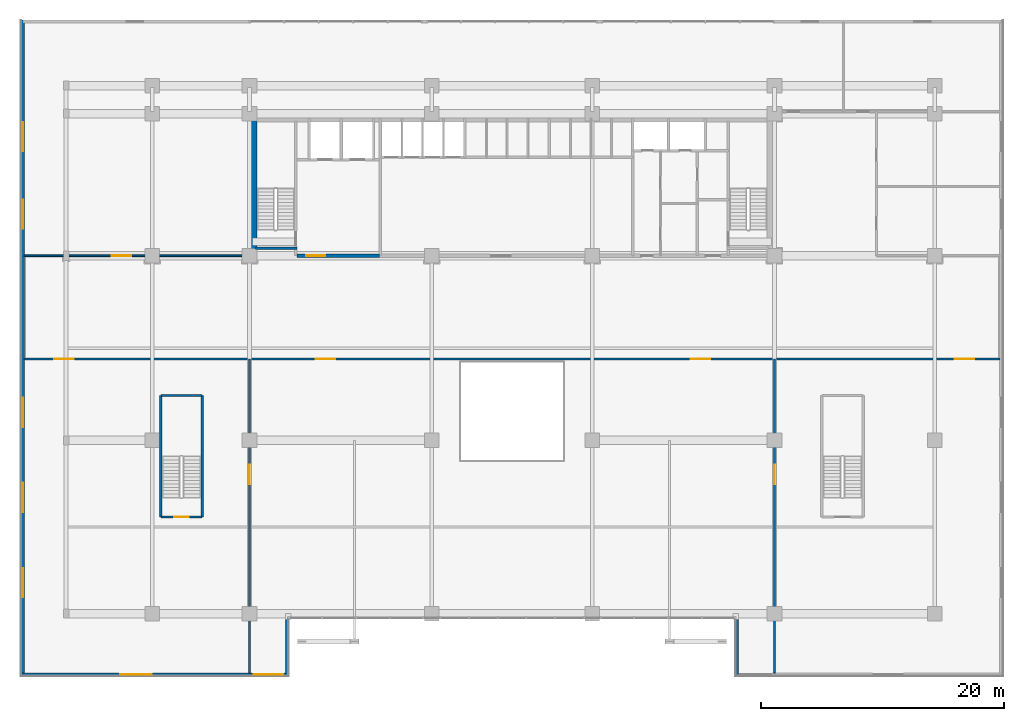
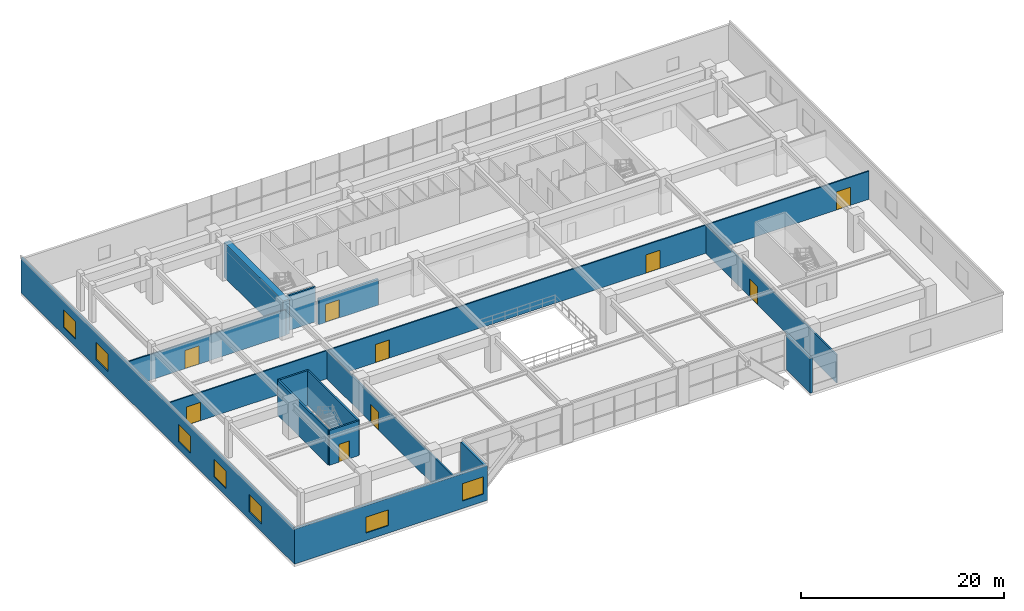
# One storey, part 15 of 24: 15 walls, 9 doors, 7 windows, 16 openings.
"""IFC4 building model written with IfcOpenShell, lengths in metres."""

from ifc_helpers import new_model, si_unit, direction, frame, frame_2d, origin, place, context, subcontext, project, spatial, rectangle, extrude, source, transform, mapped, material, layer, layer_set, type_object, element, fill, save


model = new_model("IFC4")

# Units and contexts
model_context = context("Model", 3, precision=1e-05, world=origin(), true_north=direction((0.0, 1.0)))
body_context = subcontext(model_context, "Body", "Model", "MODEL_VIEW")
ifc_project = project(units=[si_unit("LENGTHUNIT", "METRE"), si_unit("AREAUNIT", "SQUARE_METRE"), si_unit("VOLUMEUNIT", "CUBIC_METRE"), si_unit("PLANEANGLEUNIT", "RADIAN"), si_unit("MASSUNIT", "GRAM", prefix="KILO")], contexts=[model_context])

# Site, building, storey
site_placement = place(None, origin())
site = spatial("IfcSite", under=ifc_project, at=site_placement, CompositionType="ELEMENT")
building_placement = place(site_placement, origin())
building = spatial("IfcBuilding", under=site, at=building_placement, Name="Trelvane Seafront Commons", CompositionType="ELEMENT")
storey_placement = place(building_placement, frame((0.0, 0.0, 5.199951171875)))
storey = spatial("IfcBuildingStorey", under=building, at=storey_placement, Name="L01", CompositionType="ELEMENT", Elevation=5.199951171875)

# Walls
ifc_material_1 = material(Name="Precast concrete C40/50", Category="concrete")
ifc_layer_1 = layer(ifc_material_1, 0.260009765625, Name="ARCH-WALL-EXT260")
ifc_layer_set_1 = layer_set([ifc_layer_1], Name="Precast concrete C40/50")
wall_type_1 = type_object("IfcWallType", Name="ARCH-WALL-EXT260", PredefinedType="SOLIDWALL", material=ifc_layer_set_1)
for number, where, z_axis, x_axis, name in (
    (1, (55.72998046875, -1.199951171875, 0.0), (0.0, 0.0, 1.0), (0.0, 1.0, 0.0), "EW-L01-00011"),
    (2, (18.669921875, 3.60009765625, 0.0), (0.0, 0.0, 1.0), (0.0, -1.0, 0.0), "EW-L01-00012"),
):
    element("IfcWall", number, at=place(storey_placement, frame(where, z_axis=z_axis, x_axis=x_axis)), inside=storey, type_object=wall_type_1, Name=name, PredefinedType="SOLIDWALL", context=body_context, shape_type="SweptSolid", body=[
        extrude(rectangle(XDim=4.800048828125, YDim=0.260009765625, at=frame_2d((2.39990234375, 0.0))), origin(), (0.0, 0.0, 1.0), 4.199951171875),
    ])

# Wall, openings, windows
wall_1_placement = place(storey_placement, frame((18.800048828125, -1.070068359375, 0.0), z_axis=(0.0, 0.0, 1.0), x_axis=(-1.0, 0.0, 0.0)))
wall_1 = element("IfcWall", 3, at=wall_1_placement, inside=storey, type_object=wall_type_1, Name="EW-L01-00013", PredefinedType="SOLIDWALL", context=body_context, shape_type="SweptSolid", body=[
    extrude(rectangle(XDim=22.0, YDim=0.260009765625, at=frame_2d((11.0, 0.0))), origin(), (0.0, 0.0, 1.0), 4.199951171875),
])
opening_1_placement = place(wall_1_placement, frame((0.445068359375, 0.0, 0.89990234375)))
opening_1 = element("IfcOpeningElement", 4, at=opening_1_placement, cuts=wall_1, Name="Opening W08", PredefinedType="OPENING", context=body_context, shape_type="SweptSolid", body=[
    extrude(rectangle(XDim=2.39990234375, YDim=2.10009765625, at=frame_2d((1.199951171875, 1.050048828125))), frame((0.0, 0.139892578125, 0.0), z_axis=(0.0, -1.0, 0.0), x_axis=(1.0, 0.0, 0.0)), (0.0, 0.0, 1.0), 0.280029296875),
])
opening_2_placement = place(wall_1_placement, frame((11.2548828125, 0.0, 0.89990234375)))
opening_2 = element("IfcOpeningElement", 5, at=opening_2_placement, cuts=wall_1, Name="Opening W04", PredefinedType="OPENING", context=body_context, shape_type="SweptSolid", body=[
    extrude(rectangle(XDim=2.60009765625, YDim=1.89990234375, at=frame_2d((1.300048828125, 0.949951171875))), frame((0.0, 0.139892578125, 0.0), z_axis=(0.0, -1.0, 0.0), x_axis=(1.0, 0.0, 0.0)), (0.0, 0.0, 1.0), 0.280029296875),
])
ifc_material_2 = material(Name="Low-E coastal double glazing", Category="glass")
window_type_1 = type_object("IfcWindowType", Name="ARCH-WIN-W08", PartitioningType="SINGLE_PANEL", PredefinedType="WINDOW", material=ifc_material_2)
shared_shape_1 = source(origin(), body_context, "Body", "SweptSolid", [
    extrude(rectangle(XDim=2.39990234375, YDim=2.10009765625, at=frame_2d((1.199951171875, 1.050048828125))), frame((0.0, 0.030029296875, 0.0), z_axis=(0.0, -1.0, 0.0), x_axis=(1.0, 0.0, 0.0)), (0.0, 0.0, 1.0), 0.06005859375),
])
window_1_placement = place(opening_1_placement, origin())
window_1 = element("IfcWindow", 6, at=window_1_placement, inside=storey, type_object=window_type_1, Name="WIN-L01-00015", OverallHeight=2.10009765625, OverallWidth=2.39990234375, PartitioningType="SINGLE_PANEL", PredefinedType="WINDOW", context=body_context, shape_type="MappedRepresentation", body=[
    mapped(shared_shape_1, transform((0.0, 0.0, 0.0), x_axis=(1.0, 0.0, 0.0), y_axis=(0.0, 1.0, 0.0), z_axis=(0.0, 0.0, 1.0), scale=1.0)),
])
fill(opening_1, window_1)
window_type_2 = type_object("IfcWindowType", Name="ARCH-WIN-W04", PartitioningType="SINGLE_PANEL", PredefinedType="WINDOW", material=ifc_material_2)
shared_shape_2 = source(origin(), body_context, "Body", "SweptSolid", [
    extrude(rectangle(XDim=2.60009765625, YDim=1.89990234375, at=frame_2d((1.300048828125, 0.949951171875))), frame((0.0, 0.030029296875, 0.0), z_axis=(0.0, -1.0, 0.0), x_axis=(1.0, 0.0, 0.0)), (0.0, 0.0, 1.0), 0.06005859375),
])
window_2_placement = place(opening_2_placement, origin())
window_2 = element("IfcWindow", 7, at=window_2_placement, inside=storey, type_object=window_type_2, Name="WIN-L01-00016", OverallHeight=1.89990234375, OverallWidth=2.60009765625, PartitioningType="SINGLE_PANEL", PredefinedType="WINDOW", context=body_context, shape_type="MappedRepresentation", body=[
    mapped(shared_shape_2, transform((0.0, 0.0, 0.0), x_axis=(1.0, 0.0, 0.0), y_axis=(0.0, 1.0, 0.0), z_axis=(0.0, 0.0, 1.0), scale=1.0)),
])
fill(opening_2, window_2)

wall_2_placement = place(storey_placement, frame((-3.070068359375, -1.199951171875, 0.0), z_axis=(0.0, 0.0, 1.0), x_axis=(0.0, 1.0, 0.0)))
wall_2 = element("IfcWall", 8, at=wall_2_placement, inside=storey, type_object=wall_type_1, Name="EW-L01-00014", PredefinedType="SOLIDWALL", context=body_context, shape_type="SweptSolid", body=[
    extrude(rectangle(XDim=54.0, YDim=0.260009765625, at=frame_2d((27.0, 0.0))), origin(), (0.0, 0.0, 1.0), 4.199951171875),
])
opening_3_placement = place(wall_2_placement, frame((6.5, 0.0, 0.919921875)))
opening_3 = element("IfcOpeningElement", 9, at=opening_3_placement, cuts=wall_2, Name="Opening W08", PredefinedType="OPENING", context=body_context, shape_type="SweptSolid", body=[
    extrude(rectangle(XDim=2.39990234375, YDim=2.10009765625, at=frame_2d((1.199951171875, 1.050048828125))), frame((0.0, 0.139892578125, 0.0), z_axis=(0.0, -1.0, 0.0), x_axis=(1.0, 0.0, 0.0)), (0.0, 0.0, 1.0), 0.280029296875),
])
opening_4_placement = place(wall_2_placement, frame((13.5, 0.0, 0.919921875)))
opening_4 = element("IfcOpeningElement", 10, at=opening_4_placement, cuts=wall_2, Name="Opening W08", PredefinedType="OPENING", context=body_context, shape_type="SweptSolid", body=[
    extrude(rectangle(XDim=2.39990234375, YDim=2.10009765625, at=frame_2d((1.199951171875, 1.050048828125))), frame((0.0, 0.139892578125, 0.0), z_axis=(0.0, -1.0, 0.0), x_axis=(1.0, 0.0, 0.0)), (0.0, 0.0, 1.0), 0.280029296875),
])
opening_5_placement = place(wall_2_placement, frame((20.5, 0.0, 0.919921875)))
opening_5 = element("IfcOpeningElement", 11, at=opening_5_placement, cuts=wall_2, Name="Opening W08", PredefinedType="OPENING", context=body_context, shape_type="SweptSolid", body=[
    extrude(rectangle(XDim=2.39990234375, YDim=2.10009765625, at=frame_2d((1.199951171875, 1.050048828125))), frame((0.0, 0.139892578125, 0.0), z_axis=(0.0, -1.0, 0.0), x_axis=(1.0, 0.0, 0.0)), (0.0, 0.0, 1.0), 0.280029296875),
])
opening_6_placement = place(wall_2_placement, frame((36.800048828125, 0.0, 0.919921875)))
opening_6 = element("IfcOpeningElement", 12, at=opening_6_placement, cuts=wall_2, Name="Opening W08", PredefinedType="OPENING", context=body_context, shape_type="SweptSolid", body=[
    extrude(rectangle(XDim=2.39990234375, YDim=2.10009765625, at=frame_2d((1.199951171875, 1.050048828125))), frame((0.0, 0.139892578125, 0.0), z_axis=(0.0, -1.0, 0.0), x_axis=(1.0, 0.0, 0.0)), (0.0, 0.0, 1.0), 0.280029296875),
])
opening_7_placement = place(wall_2_placement, frame((43.199951171875, 0.0, 0.919921875)))
opening_7 = element("IfcOpeningElement", 13, at=opening_7_placement, cuts=wall_2, Name="Opening W08", PredefinedType="OPENING", context=body_context, shape_type="SweptSolid", body=[
    extrude(rectangle(XDim=2.39990234375, YDim=2.10009765625, at=frame_2d((1.199951171875, 1.050048828125))), frame((0.0, 0.139892578125, 0.0), z_axis=(0.0, -1.0, 0.0), x_axis=(1.0, 0.0, 0.0)), (0.0, 0.0, 1.0), 0.280029296875),
])
window_3_placement = place(opening_3_placement, origin())
window_3 = element("IfcWindow", 14, at=window_3_placement, inside=storey, type_object=window_type_1, Name="WIN-L01-EW-00017", OverallHeight=2.10009765625, OverallWidth=2.39990234375, PartitioningType="SINGLE_PANEL", PredefinedType="WINDOW", context=body_context, shape_type="MappedRepresentation", body=[
    mapped(shared_shape_1, transform((0.0, 0.0, 0.0), x_axis=(1.0, 0.0, 0.0), y_axis=(0.0, 1.0, 0.0), z_axis=(0.0, 0.0, 1.0), scale=1.0)),
])
fill(opening_3, window_3)
window_4_placement = place(opening_4_placement, origin())
window_4 = element("IfcWindow", 15, at=window_4_placement, inside=storey, type_object=window_type_1, Name="WIN-L01-EW-00018", OverallHeight=2.10009765625, OverallWidth=2.39990234375, PartitioningType="SINGLE_PANEL", PredefinedType="WINDOW", context=body_context, shape_type="MappedRepresentation", body=[
    mapped(shared_shape_1, transform((0.0, 0.0, 0.0), x_axis=(1.0, 0.0, 0.0), y_axis=(0.0, 1.0, 0.0), z_axis=(0.0, 0.0, 1.0), scale=1.0)),
])
fill(opening_4, window_4)
window_5_placement = place(opening_5_placement, origin())
window_5 = element("IfcWindow", 16, at=window_5_placement, inside=storey, type_object=window_type_1, Name="WIN-L01-EW-00019", OverallHeight=2.10009765625, OverallWidth=2.39990234375, PartitioningType="SINGLE_PANEL", PredefinedType="WINDOW", context=body_context, shape_type="MappedRepresentation", body=[
    mapped(shared_shape_1, transform((0.0, 0.0, 0.0), x_axis=(1.0, 0.0, 0.0), y_axis=(0.0, 1.0, 0.0), z_axis=(0.0, 0.0, 1.0), scale=1.0)),
])
fill(opening_5, window_5)
window_6_placement = place(opening_6_placement, origin())
window_6 = element("IfcWindow", 17, at=window_6_placement, inside=storey, type_object=window_type_1, Name="WIN-L01-EW-00020", OverallHeight=2.10009765625, OverallWidth=2.39990234375, PartitioningType="SINGLE_PANEL", PredefinedType="WINDOW", context=body_context, shape_type="MappedRepresentation", body=[
    mapped(shared_shape_1, transform((0.0, 0.0, 0.0), x_axis=(1.0, 0.0, 0.0), y_axis=(0.0, 1.0, 0.0), z_axis=(0.0, 0.0, 1.0), scale=1.0)),
])
fill(opening_6, window_6)
window_7_placement = place(opening_7_placement, origin())
window_7 = element("IfcWindow", 18, at=window_7_placement, inside=storey, type_object=window_type_1, Name="WIN-L01-EW-00021", OverallHeight=2.10009765625, OverallWidth=2.39990234375, PartitioningType="SINGLE_PANEL", PredefinedType="WINDOW", context=body_context, shape_type="MappedRepresentation", body=[
    mapped(shared_shape_1, transform((0.0, 0.0, 0.0), x_axis=(1.0, 0.0, 0.0), y_axis=(0.0, 1.0, 0.0), z_axis=(0.0, 0.0, 1.0), scale=1.0)),
])
fill(opening_7, window_7)

# Wall, opening, door
ifc_material_3 = material(Name="Concrete C40/50", Category="concrete")
ifc_layer_2 = layer(ifc_material_3, 0.25, Name="ARCH-WALL-FIRE250")
ifc_layer_set_2 = layer_set([ifc_layer_2], Name="Concrete C40/50")
wall_type_2 = type_object("IfcWallType", Name="ARCH-WALL-FIRE250", PredefinedType="PARTITIONING", material=ifc_layer_set_2)
wall_3_placement = place(storey_placement, frame((19.5, 33.39990234375, 0.0), z_axis=(0.0, 0.0, 1.0), x_axis=(1.0, 0.0, 0.0)))
wall_3 = element("IfcWall", 19, at=wall_3_placement, inside=storey, type_object=wall_type_2, Name="W-L01-CS-FFL-021", PredefinedType="PARTITIONING", context=body_context, shape_type="SweptSolid", body=[
    extrude(rectangle(XDim=6.800048828125, YDim=0.25, at=frame_2d((3.39990234375, 0.0))), origin(), (0.0, 0.0, 1.0), 3.10009765625),
])
opening_8_placement = place(wall_3_placement, frame((0.75, 0.0, 0.0)))
opening_8 = element("IfcOpeningElement", 20, at=opening_8_placement, cuts=wall_3, Name="Opening FD-L01-07", PredefinedType="OPENING", context=body_context, shape_type="SweptSolid", body=[
    extrude(rectangle(XDim=1.60009765625, YDim=2.199951171875, at=frame_2d((0.800048828125, 1.10009765625))), frame((0.0, 0.135009765625, 0.0), z_axis=(0.0, -1.0, 0.0), x_axis=(1.0, 0.0, 0.0)), (0.0, 0.0, 1.0), 0.27001953125),
])
ifc_material_4 = material(Name="Powder-coated aluminium frame", Category="aluminium")
door_type_1 = type_object("IfcDoorType", Name="ARCH-DR-FD60-1600", OperationType="DOUBLE_DOOR_SINGLE_SWING", PredefinedType="DOOR", material=ifc_material_4)
shared_shape_3 = source(origin(), body_context, "Body", "SweptSolid", [
    extrude(rectangle(XDim=1.60009765625, YDim=2.199951171875, at=frame_2d((0.800048828125, 1.10009765625))), frame((0.0, 0.02490234375, 0.0), z_axis=(0.0, -1.0, 0.0), x_axis=(1.0, 0.0, 0.0)), (0.0, 0.0, 1.0), 0.050048828125),
])
door_1_placement = place(opening_8_placement, origin())
door_1 = element("IfcDoor", 21, at=door_1_placement, inside=storey, type_object=door_type_1, Name="L01 Firefighting Lift Lobby Double Fire Door", OperationType="DOUBLE_DOOR_SINGLE_SWING", OverallHeight=2.199951171875, OverallWidth=1.60009765625, PredefinedType="DOOR", context=body_context, shape_type="MappedRepresentation", body=[
    mapped(shared_shape_3, transform((0.0, 0.0, 0.0), x_axis=(1.0, 0.0, 0.0), y_axis=(0.0, 1.0, 0.0), z_axis=(0.0, 0.0, 1.0), scale=1.0)),
])
fill(opening_8, door_1)

ifc_material_5 = material(Name="Gypsum Drywall Acoustic Partition")
ifc_layer_3 = layer(ifc_material_5, 0.14990234375, Name="ARCH-WALL-PART150")
ifc_layer_set_3 = layer_set([ifc_layer_3], Name="Gypsum Drywall Acoustic Partition")
wall_type_3 = type_object("IfcWallType", Name="ARCH-WALL-PART150", PredefinedType="PARTITIONING", material=ifc_layer_set_3)
wall_4_placement = place(storey_placement, frame((-2.949951171875, 33.39990234375, 0.0), z_axis=(0.0, 0.0, 1.0), x_axis=(1.0, 0.0, 0.0)))
wall_4 = element("IfcWall", 22, at=wall_4_placement, inside=storey, type_object=wall_type_3, Name="W-L01-POD-NW-S-046", PredefinedType="PARTITIONING", context=body_context, shape_type="SweptSolid", body=[
    extrude(rectangle(XDim=18.75, YDim=0.14990234375, at=frame_2d((9.375, 0.0))), origin(), (0.0, 0.0, 1.0), 3.10009765625),
])
opening_9_placement = place(wall_4_placement, frame((7.22412109375, 0.0, 0.0)))
opening_9 = element("IfcOpeningElement", 23, at=opening_9_placement, cuts=wall_4, Name="Opening D-L01-20", PredefinedType="OPENING", context=body_context, shape_type="SweptSolid", body=[
    extrude(rectangle(XDim=1.60009765625, YDim=2.199951171875, at=frame_2d((0.800048828125, 1.10009765625))), frame((0.0, 0.0849609375, 0.0), z_axis=(0.0, -1.0, 0.0), x_axis=(1.0, 0.0, 0.0)), (0.0, 0.0, 1.0), 0.169921875),
])
ifc_material_6 = material(Name="Acoustic timber door leaf", Category="wood")
door_type_2 = type_object("IfcDoorType", Name="ARCH-DR-GLZ1600", OperationType="DOUBLE_DOOR_SINGLE_SWING", PredefinedType="DOOR", material=ifc_material_6)
door_2_placement = place(opening_9_placement, origin())
door_2 = element("IfcDoor", 24, at=door_2_placement, inside=storey, type_object=door_type_2, Name="L01 West Study Suite Door", OperationType="DOUBLE_DOOR_SINGLE_SWING", OverallHeight=2.199951171875, OverallWidth=1.60009765625, PredefinedType="DOOR", context=body_context, shape_type="MappedRepresentation", body=[
    mapped(shared_shape_3, transform((0.0, 0.0, 0.0), x_axis=(1.0, 0.0, 0.0), y_axis=(0.0, 1.0, 0.0), z_axis=(0.0, 0.0, 1.0), scale=1.0)),
])
fill(opening_9, door_2)

# Wall, openings, doors
wall_5_placement = place(storey_placement, frame((-2.949951171875, 24.89990234375, 0.0), z_axis=(0.0, 0.0, 1.0), x_axis=(1.0, 0.0, 0.0)))
wall_5 = element("IfcWall", 25, at=wall_5_placement, inside=storey, type_object=wall_type_3, Name="W-L01-POD-SPINE-052", PredefinedType="PARTITIONING", context=body_context, shape_type="SweptSolid", body=[
    extrude(rectangle(XDim=80.300048828125, YDim=0.14990234375, at=frame_2d((40.14990234375, 0.0))), origin(), (0.0, 0.0, 1.0), 3.400146484375),
])
opening_10_placement = place(wall_5_placement, frame((2.48388671875, 0.0, 0.0)))
opening_10 = element("IfcOpeningElement", 26, at=opening_10_placement, cuts=wall_5, Name="Opening D-L01-25", PredefinedType="OPENING", context=body_context, shape_type="SweptSolid", body=[
    extrude(rectangle(XDim=1.60009765625, YDim=2.199951171875, at=frame_2d((0.800048828125, 1.10009765625))), frame((0.0, 0.0849609375, 0.0), z_axis=(0.0, -1.0, 0.0), x_axis=(1.0, 0.0, 0.0)), (0.0, 0.0, 1.0), 0.169921875),
])
opening_11_placement = place(wall_5_placement, frame((24.00390625, 0.0, 0.0)))
opening_11 = element("IfcOpeningElement", 27, at=opening_11_placement, cuts=wall_5, Name="Opening D-L01-26", PredefinedType="OPENING", context=body_context, shape_type="SweptSolid", body=[
    extrude(rectangle(XDim=1.60009765625, YDim=2.199951171875, at=frame_2d((0.800048828125, 1.10009765625))), frame((0.0, 0.0849609375, 0.0), z_axis=(0.0, -1.0, 0.0), x_axis=(1.0, 0.0, 0.0)), (0.0, 0.0, 1.0), 0.169921875),
])
opening_12_placement = place(wall_5_placement, frame((54.876953125, 0.0, 0.0)))
opening_12 = element("IfcOpeningElement", 28, at=opening_12_placement, cuts=wall_5, Name="Opening D-L01-27", PredefinedType="OPENING", context=body_context, shape_type="SweptSolid", body=[
    extrude(rectangle(XDim=1.60009765625, YDim=2.199951171875, at=frame_2d((0.800048828125, 1.10009765625))), frame((0.0, 0.0849609375, 0.0), z_axis=(0.0, -1.0, 0.0), x_axis=(1.0, 0.0, 0.0)), (0.0, 0.0, 1.0), 0.169921875),
])
opening_13_placement = place(wall_5_placement, frame((76.576904296875, 0.0, 0.0)))
opening_13 = element("IfcOpeningElement", 29, at=opening_13_placement, cuts=wall_5, Name="Opening D-L01-28", PredefinedType="OPENING", context=body_context, shape_type="SweptSolid", body=[
    extrude(rectangle(XDim=1.60009765625, YDim=2.199951171875, at=frame_2d((0.800048828125, 1.10009765625))), frame((0.0, 0.0849609375, 0.0), z_axis=(0.0, -1.0, 0.0), x_axis=(1.0, 0.0, 0.0)), (0.0, 0.0, 1.0), 0.169921875),
])
door_3_placement = place(opening_10_placement, origin())
door_3 = element("IfcDoor", 30, at=door_3_placement, inside=storey, type_object=door_type_2, Name="L01 Door 25", OperationType="DOUBLE_DOOR_SINGLE_SWING", OverallHeight=2.199951171875, OverallWidth=1.60009765625, PredefinedType="DOOR", context=body_context, shape_type="MappedRepresentation", body=[
    mapped(shared_shape_3, transform((0.0, 0.0, 0.0), x_axis=(1.0, 0.0, 0.0), y_axis=(0.0, 1.0, 0.0), z_axis=(0.0, 0.0, 1.0), scale=1.0)),
])
fill(opening_10, door_3)
door_4_placement = place(opening_11_placement, origin())
door_4 = element("IfcDoor", 31, at=door_4_placement, inside=storey, type_object=door_type_2, Name="L01 Door 26", OperationType="DOUBLE_DOOR_SINGLE_SWING", OverallHeight=2.199951171875, OverallWidth=1.60009765625, PredefinedType="DOOR", context=body_context, shape_type="MappedRepresentation", body=[
    mapped(shared_shape_3, transform((0.0, 0.0, 0.0), x_axis=(1.0, 0.0, 0.0), y_axis=(0.0, 1.0, 0.0), z_axis=(0.0, 0.0, 1.0), scale=1.0)),
])
fill(opening_11, door_4)
door_5_placement = place(opening_12_placement, origin())
door_5 = element("IfcDoor", 32, at=door_5_placement, inside=storey, type_object=door_type_2, Name="L01 Door 27", OperationType="DOUBLE_DOOR_SINGLE_SWING", OverallHeight=2.199951171875, OverallWidth=1.60009765625, PredefinedType="DOOR", context=body_context, shape_type="MappedRepresentation", body=[
    mapped(shared_shape_3, transform((0.0, 0.0, 0.0), x_axis=(1.0, 0.0, 0.0), y_axis=(0.0, 1.0, 0.0), z_axis=(0.0, 0.0, 1.0), scale=1.0)),
])
fill(opening_12, door_5)
door_6_placement = place(opening_13_placement, origin())
door_6 = element("IfcDoor", 33, at=door_6_placement, inside=storey, type_object=door_type_2, Name="L01 Door 28", OperationType="DOUBLE_DOOR_SINGLE_SWING", OverallHeight=2.199951171875, OverallWidth=1.60009765625, PredefinedType="DOOR", context=body_context, shape_type="MappedRepresentation", body=[
    mapped(shared_shape_3, transform((0.0, 0.0, 0.0), x_axis=(1.0, 0.0, 0.0), y_axis=(0.0, 1.0, 0.0), z_axis=(0.0, 0.0, 1.0), scale=1.0)),
])
fill(opening_13, door_6)

# Wall, opening, door
wall_6_placement = place(storey_placement, frame((15.60009765625, -0.949951171875, 0.0), z_axis=(0.0, 0.0, 1.0), x_axis=(0.0, 1.0, 0.0)))
wall_6 = element("IfcWall", 34, at=wall_6_placement, inside=storey, type_object=wall_type_3, Name="W-L01-POD-DIV-1-053", PredefinedType="PARTITIONING", context=body_context, shape_type="SweptSolid", body=[
    extrude(rectangle(XDim=25.849853515625, YDim=0.14990234375, at=frame_2d((12.9248046875, 0.0))), origin(), (0.0, 0.0, 1.0), 3.400146484375),
])
opening_14_placement = place(wall_6_placement, frame((15.55810546875, 0.0, 0.0)))
opening_14 = element("IfcOpeningElement", 35, at=opening_14_placement, cuts=wall_6, Name="Opening D-L01-29", PredefinedType="OPENING", context=body_context, shape_type="SweptSolid", body=[
    extrude(rectangle(XDim=1.60009765625, YDim=2.199951171875, at=frame_2d((0.800048828125, 1.10009765625))), frame((0.0, 0.0849609375, 0.0), z_axis=(0.0, -1.0, 0.0), x_axis=(1.0, 0.0, 0.0)), (0.0, 0.0, 1.0), 0.169921875),
])
door_7_placement = place(opening_14_placement, origin())
door_7 = element("IfcDoor", 36, at=door_7_placement, inside=storey, type_object=door_type_2, Name="L01 Door 29", OperationType="DOUBLE_DOOR_SINGLE_SWING", OverallHeight=2.199951171875, OverallWidth=1.60009765625, PredefinedType="DOOR", context=body_context, shape_type="MappedRepresentation", body=[
    mapped(shared_shape_3, transform((0.0, 0.0, 0.0), x_axis=(1.0, 0.0, 0.0), y_axis=(0.0, 1.0, 0.0), z_axis=(0.0, 0.0, 1.0), scale=1.0)),
])
fill(opening_14, door_7)

wall_7_placement = place(storey_placement, frame((58.800048828125, -0.949951171875, 0.0), z_axis=(0.0, 0.0, 1.0), x_axis=(0.0, 1.0, 0.0)))
wall_7 = element("IfcWall", 37, at=wall_7_placement, inside=storey, type_object=wall_type_3, Name="W-L01-POD-DIV-3-054", PredefinedType="PARTITIONING", context=body_context, shape_type="SweptSolid", body=[
    extrude(rectangle(XDim=25.849853515625, YDim=0.14990234375, at=frame_2d((12.9248046875, 0.0))), origin(), (0.0, 0.0, 1.0), 3.400146484375),
])
opening_15_placement = place(wall_7_placement, frame((15.55810546875, 0.0, 0.0)))
opening_15 = element("IfcOpeningElement", 38, at=opening_15_placement, cuts=wall_7, Name="Opening D-L01-30", PredefinedType="OPENING", context=body_context, shape_type="SweptSolid", body=[
    extrude(rectangle(XDim=1.60009765625, YDim=2.199951171875, at=frame_2d((0.800048828125, 1.10009765625))), frame((0.0, 0.0849609375, 0.0), z_axis=(0.0, -1.0, 0.0), x_axis=(1.0, 0.0, 0.0)), (0.0, 0.0, 1.0), 0.169921875),
])
door_8_placement = place(opening_15_placement, origin())
door_8 = element("IfcDoor", 39, at=door_8_placement, inside=storey, type_object=door_type_2, Name="L01 Door 30", OperationType="DOUBLE_DOOR_SINGLE_SWING", OverallHeight=2.199951171875, OverallWidth=1.60009765625, PredefinedType="DOOR", context=body_context, shape_type="MappedRepresentation", body=[
    mapped(shared_shape_3, transform((0.0, 0.0, 0.0), x_axis=(1.0, 0.0, 0.0), y_axis=(0.0, 1.0, 0.0), z_axis=(0.0, 0.0, 1.0), scale=1.0)),
])
fill(opening_15, door_8)

# Walls
ifc_material_7 = material(Name="Concrete C60/75", Category="concrete")
ifc_layer_4 = layer(ifc_material_7, 0.699951171875, Name="STR-WALL-CORE700")
ifc_layer_set_4 = layer_set([ifc_layer_4], Name="Concrete C60/75")
wall_type_4 = type_object("IfcWallType", Name="STR-WALL-CORE700", PredefinedType="SHEAR", material=ifc_layer_set_4)
wall_8_placement = place(storey_placement, frame((15.85009765625, 33.39990234375, 0.0), z_axis=(0.0, 0.0, 1.0), x_axis=(0.0, 1.0, 0.0)))
element("IfcWall", 40, at=wall_8_placement, inside=storey, type_object=wall_type_4, Name="W-L01-CW-END-002", PredefinedType="SHEAR", context=body_context, shape_type="SweptSolid", body=[
    extrude(rectangle(XDim=11.7001953125, YDim=0.699951171875, at=frame_2d((5.85009765625, 0.0))), origin(), (0.0, 0.0, 1.0), 4.199951171875),
])
ifc_material_8 = material(Name="Concrete C50/60", Category="concrete")
ifc_layer_5 = layer(ifc_material_8, 0.199951171875, Name="STR-WALL-STAIR200")
ifc_layer_set_5 = layer_set([ifc_layer_5], Name="Concrete C50/60")
wall_type_5 = type_object("IfcWallType", Name="STR-WALL-STAIR200", PredefinedType="SHEAR", material=ifc_layer_set_5)
wall_9_placement = place(storey_placement, frame((16.10009765625, 34.0, 0.0), z_axis=(0.0, 0.0, 1.0), x_axis=(1.0, 0.0, 0.0)))
element("IfcWall", 41, at=wall_9_placement, inside=storey, type_object=wall_type_5, Name="W-L01-ST1-S-004", PredefinedType="SHEAR", context=body_context, shape_type="SweptSolid", body=[
    extrude(rectangle(XDim=3.39990234375, YDim=0.199951171875, at=frame_2d((1.699951171875, 0.0))), origin(), (0.0, 0.0, 1.0), 4.199951171875),
])
for number, where, z_axis, x_axis, name in (
    (42, (8.300048828125, 11.89990234375, 0.0), (0.0, 0.0, 1.0), (0.0, 1.0, 0.0), "W-L01-ST3-W-008"),
    (43, (11.699951171875, 11.89990234375, 0.0), (0.0, 0.0, 1.0), (0.0, 1.0, 0.0), "W-L01-ST3-E-009"),
):
    element("IfcWall", number, at=place(storey_placement, frame(where, z_axis=z_axis, x_axis=x_axis)), inside=storey, type_object=wall_type_5, Name=name, PredefinedType="SHEAR", context=body_context, shape_type="SweptSolid", body=[
        extrude(rectangle(XDim=10.0, YDim=0.199951171875, at=frame_2d((5.0, 0.0))), origin(), (0.0, 0.0, 1.0), 4.199951171875),
    ])

# Wall, opening, door
wall_10_placement = place(storey_placement, frame((8.300048828125, 11.89990234375, 0.0), z_axis=(0.0, 0.0, 1.0), x_axis=(1.0, 0.0, 0.0)))
wall_10 = element("IfcWall", 44, at=wall_10_placement, inside=storey, type_object=wall_type_5, Name="W-L01-ST3-S-010", PredefinedType="SHEAR", context=body_context, shape_type="SweptSolid", body=[
    extrude(rectangle(XDim=3.39990234375, YDim=0.199951171875, at=frame_2d((1.699951171875, 0.0))), origin(), (0.0, 0.0, 1.0), 4.199951171875),
])
opening_16_placement = place(wall_10_placement, frame((1.10009765625, 0.0, 0.0)))
opening_16 = element("IfcOpeningElement", 45, at=opening_16_placement, cuts=wall_10, Name="Opening ST-D-ST3-L01", PredefinedType="OPENING", context=body_context, shape_type="SweptSolid", body=[
    extrude(rectangle(XDim=1.199951171875, YDim=2.14990234375, at=frame_2d((0.60009765625, 1.074951171875))), frame((0.0, 0.10986328125, 0.0), z_axis=(0.0, -1.0, 0.0), x_axis=(1.0, 0.0, 0.0)), (0.0, 0.0, 1.0), 0.219970703125),
])
door_type_3 = type_object("IfcDoorType", Name="ARCH-DR-FD90-1200", OperationType="NOTDEFINED", PredefinedType="DOOR", material=ifc_material_4)
shared_shape_4 = source(origin(), body_context, "Body", "SweptSolid", [
    extrude(rectangle(XDim=1.199951171875, YDim=2.14990234375, at=frame_2d((0.60009765625, 1.074951171875))), frame((0.0, 0.02490234375, 0.0), z_axis=(0.0, -1.0, 0.0), x_axis=(1.0, 0.0, 0.0)), (0.0, 0.0, 1.0), 0.050048828125),
])
door_9_placement = place(opening_16_placement, origin())
door_9 = element("IfcDoor", 46, at=door_9_placement, inside=storey, type_object=door_type_3, Name="L01 Podium ST3 Fire Door", OperationType="SINGLE_SWING_LEFT", OverallHeight=2.14990234375, OverallWidth=1.199951171875, PredefinedType="DOOR", context=body_context, shape_type="MappedRepresentation", body=[
    mapped(shared_shape_4, transform((0.0, 0.0, 0.0), x_axis=(1.0, 0.0, 0.0), y_axis=(0.0, 1.0, 0.0), z_axis=(0.0, 0.0, 1.0), scale=1.0)),
])
fill(opening_16, door_9)

# Wall
wall_11_placement = place(storey_placement, frame((8.300048828125, 21.89990234375, 0.0), z_axis=(0.0, 0.0, 1.0), x_axis=(1.0, 0.0, 0.0)))
element("IfcWall", 47, at=wall_11_placement, inside=storey, type_object=wall_type_5, Name="W-L01-ST3-N-011", PredefinedType="SHEAR", context=body_context, shape_type="SweptSolid", body=[
    extrude(rectangle(XDim=3.39990234375, YDim=0.199951171875, at=frame_2d((1.699951171875, 0.0))), origin(), (0.0, 0.0, 1.0), 4.199951171875),
])

save(model, "model.ifc")
